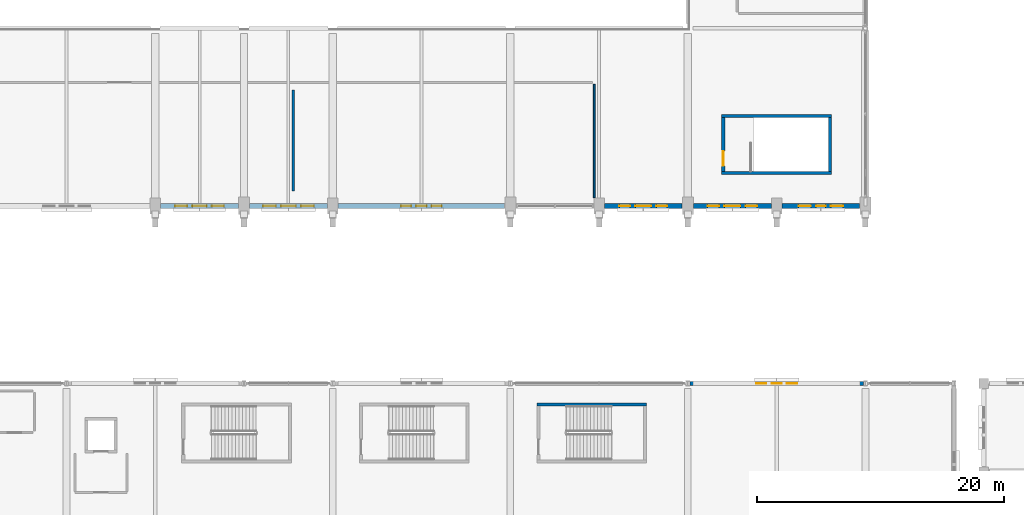
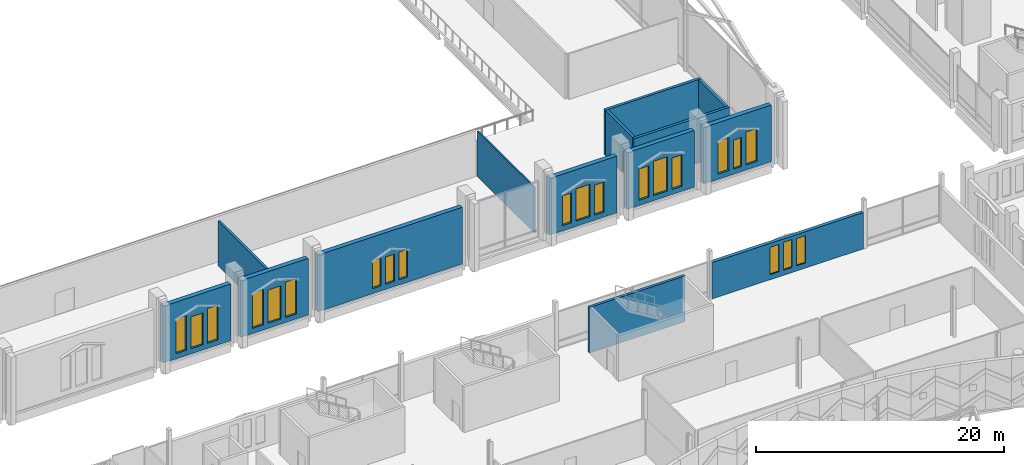
# One storey, part 154 of 220: 21 windows, 14 walls, 1 door, 22 openings.
"""IFC4 building model written with IfcOpenShell, lengths in metres."""

from ifc_helpers import new_model, si_unit, direction, frame, frame_2d, origin, place, context, subcontext, project, spatial, rectangle, extrude, material, layer, layer_set, type_object, element, fill, save


model = new_model("IFC4")

# Units and contexts
model_context = context("Model", 3, precision=1e-05, world=origin(), true_north=direction((0.0, 1.0)))
body_context = subcontext(model_context, "Body", "Model", "MODEL_VIEW")
ifc_project = project(units=[si_unit("LENGTHUNIT", "METRE"), si_unit("AREAUNIT", "SQUARE_METRE"), si_unit("VOLUMEUNIT", "CUBIC_METRE"), si_unit("PLANEANGLEUNIT", "RADIAN"), si_unit("MASSUNIT", "GRAM", prefix="KILO")], contexts=[model_context])

# Site, building, storey
site_placement = place(None, origin())
site = spatial("IfcSite", under=ifc_project, at=site_placement, CompositionType="ELEMENT")
building_placement = place(site_placement, origin())
building = spatial("IfcBuilding", under=site, at=building_placement, Name="Cendralis Lancet Convention Centre", CompositionType="ELEMENT")
storey_placement = place(building_placement, frame((0.0, 0.0, 5.39990234375)))
storey = spatial("IfcBuildingStorey", under=building, at=storey_placement, Name="L01", CompositionType="ELEMENT", Elevation=5.39990234375)

# Wall, openings, windows
ifc_material_1 = material(Name="Buff sandstone ashlar and Concrete G40 (C40/50)", Category="masonry")
ifc_layer_1 = layer(ifc_material_1, 0.320068359375, Name="Buff sandstone ashlar and Concrete G40 (C40/50)")
ifc_layer_set_1 = layer_set([ifc_layer_1], Name="Buff sandstone ashlar and Concrete G40 (C40/50)")
wall_type_1 = type_object("IfcWallType", Name="ARC-EW-W320", PredefinedType="STANDARD", material=ifc_layer_set_1)
wall_1_placement = place(storey_placement, frame((108.157958984375, 36.0, 0.0), z_axis=(0.0, 0.0, 1.0), x_axis=(1.0, 0.0, 0.0)))
wall_1 = element("IfcWall", 1, at=wall_1_placement, inside=storey, type_object=wall_type_1, Name="L01 V4 Exterior Wall EW-06 #0198", PredefinedType="STANDARD", context=body_context, shape_type="SweptSolid", body=[
    extrude(rectangle(XDim=14.083984375, YDim=0.320068359375, at=frame_2d((7.0419921875, 0.0))), origin(), (0.0, 0.0, 1.0), 3.585205078125),
])
opening_1_placement = place(wall_1_placement, frame((5.382080078125, 0.0, 0.5)))
opening_1 = element("IfcOpeningElement", 2, at=opening_1_placement, cuts=wall_1, Name="Opening WN-15", PredefinedType="OPENING", context=body_context, shape_type="SweptSolid", body=[
    extrude(rectangle(XDim=0.840087890625, YDim=2.699951171875, at=frame_2d((0.419921875, 1.35009765625))), frame((0.0, 0.169921875, 0.0), z_axis=(0.0, -1.0, 0.0), x_axis=(1.0, 0.0, 0.0)), (0.0, 0.0, 1.0), 0.340087890625),
])
opening_2_placement = place(wall_1_placement, frame((6.64208984375, 0.0, 0.5)))
opening_2 = element("IfcOpeningElement", 3, at=opening_2_placement, cuts=wall_1, Name="Opening WN-07", PredefinedType="OPENING", context=body_context, shape_type="SweptSolid", body=[
    extrude(rectangle(XDim=0.800048828125, YDim=2.75, at=frame_2d((0.39990234375, 1.375))), frame((0.0, 0.169921875, 0.0), z_axis=(0.0, -1.0, 0.0), x_axis=(1.0, 0.0, 0.0)), (0.0, 0.0, 1.0), 0.340087890625),
])
opening_3_placement = place(wall_1_placement, frame((7.862060546875, 0.0, 0.5)))
opening_3 = element("IfcOpeningElement", 4, at=opening_3_placement, cuts=wall_1, Name="Opening WN-15", PredefinedType="OPENING", context=body_context, shape_type="SweptSolid", body=[
    extrude(rectangle(XDim=0.840087890625, YDim=2.699951171875, at=frame_2d((0.419921875, 1.35009765625))), frame((0.0, 0.169921875, 0.0), z_axis=(0.0, -1.0, 0.0), x_axis=(1.0, 0.0, 0.0)), (0.0, 0.0, 1.0), 0.340087890625),
])
ifc_material_2 = material(Name="Double-glazed low-E solar-control glass", Category="glass")
window_type_1 = type_object("IfcWindowType", Name="ARC-WN-LW07", PartitioningType="SINGLE_PANEL", PredefinedType="WINDOW", material=ifc_material_2)
window_1_placement = place(opening_2_placement, origin())
window_1 = element("IfcWindow", 5, at=window_1_placement, inside=storey, type_object=window_type_1, Name="Gothic Lancet Window WN-07 #0386", OverallHeight=2.75, OverallWidth=0.800048828125, PartitioningType="SINGLE_PANEL", PredefinedType="WINDOW", context=body_context, shape_type="SweptSolid", body=[
    extrude(rectangle(XDim=0.800048828125, YDim=2.75, at=frame_2d((0.39990234375, 1.375))), frame((0.0, 0.030029296875, 0.0), z_axis=(0.0, -1.0, 0.0), x_axis=(1.0, 0.0, 0.0)), (0.0, 0.0, 1.0), 0.06005859375),
])
fill(opening_2, window_1)
window_type_2 = type_object("IfcWindowType", Name="ARC-WN-LW15", PartitioningType="SINGLE_PANEL", PredefinedType="WINDOW", material=ifc_material_2)
window_2_placement = place(opening_1_placement, origin())
window_2 = element("IfcWindow", 6, at=window_2_placement, inside=storey, type_object=window_type_2, Name="Gothic Lancet Window WN-15 #0385", OverallHeight=2.699951171875, OverallWidth=0.840087890625, PartitioningType="SINGLE_PANEL", PredefinedType="WINDOW", context=body_context, shape_type="SweptSolid", body=[
    extrude(rectangle(XDim=0.840087890625, YDim=2.699951171875, at=frame_2d((0.419921875, 1.35009765625))), frame((0.0, 0.030029296875, 0.0), z_axis=(0.0, -1.0, 0.0), x_axis=(1.0, 0.0, 0.0)), (0.0, 0.0, 1.0), 0.06005859375),
])
fill(opening_1, window_2)
window_3_placement = place(opening_3_placement, origin())
window_3 = element("IfcWindow", 7, at=window_3_placement, inside=storey, type_object=window_type_2, Name="Gothic Lancet Window WN-15 #0387", OverallHeight=2.699951171875, OverallWidth=0.840087890625, PartitioningType="SINGLE_PANEL", PredefinedType="WINDOW", context=body_context, shape_type="SweptSolid", body=[
    extrude(rectangle(XDim=0.840087890625, YDim=2.699951171875, at=frame_2d((0.419921875, 1.35009765625))), frame((0.0, 0.030029296875, 0.0), z_axis=(0.0, -1.0, 0.0), x_axis=(1.0, 0.0, 0.0)), (0.0, 0.0, 1.0), 0.06005859375),
])
fill(opening_3, window_3)

ifc_layer_2 = layer(ifc_material_1, 0.419921875, Name="Buff sandstone ashlar and Concrete G40 (C40/50)")
ifc_layer_set_2 = layer_set([ifc_layer_2], Name="Buff sandstone ashlar and Concrete G40 (C40/50)")
wall_type_2 = type_object("IfcWallType", Name="ARC-EW-W420", PredefinedType="STANDARD", material=ifc_layer_set_2)
wall_2_placement = place(storey_placement, frame((71.5419921875, 50.39990234375, 0.0), z_axis=(0.0, 0.0, 1.0), x_axis=(-1.0, 0.0, 0.0)))
wall_2 = element("IfcWall", 8, at=wall_2_placement, inside=storey, type_object=wall_type_2, Name="L01 V1 Exterior Wall EW-01 #0058", PredefinedType="STANDARD", context=body_context, shape_type="SweptSolid", body=[
    extrude(rectangle(XDim=6.30908203125, YDim=0.419921875, at=frame_2d((3.154541015625, 0.0))), origin(), (0.0, 0.0, 1.0), 5.585205078125),
])
opening_4_placement = place(wall_2_placement, frame((1.174560546875, 0.0, 0.5)))
opening_4 = element("IfcOpeningElement", 9, at=opening_4_placement, cuts=wall_2, Name="Opening WN-05", PredefinedType="OPENING", context=body_context, shape_type="SweptSolid", body=[
    extrude(rectangle(XDim=0.97998046875, YDim=3.419921875, at=frame_2d((0.489990234375, 1.7099609375))), frame((0.0, 0.219970703125, 0.0), z_axis=(0.0, -1.0, 0.0), x_axis=(1.0, 0.0, 0.0)), (0.0, 0.0, 1.0), 0.43994140625),
])
opening_5_placement = place(wall_2_placement, frame((2.574462890625, 0.0, 0.5)))
opening_5 = element("IfcOpeningElement", 10, at=opening_5_placement, cuts=wall_2, Name="Opening WN-13", PredefinedType="OPENING", context=body_context, shape_type="SweptSolid", body=[
    extrude(rectangle(XDim=1.159912109375, YDim=3.14990234375, at=frame_2d((0.580078125, 1.574951171875))), frame((0.0, 0.219970703125, 0.0), z_axis=(0.0, -1.0, 0.0), x_axis=(1.0, 0.0, 0.0)), (0.0, 0.0, 1.0), 0.43994140625),
])
opening_6_placement = place(wall_2_placement, frame((4.154541015625, 0.0, 0.5)))
opening_6 = element("IfcOpeningElement", 11, at=opening_6_placement, cuts=wall_2, Name="Opening WN-05", PredefinedType="OPENING", context=body_context, shape_type="SweptSolid", body=[
    extrude(rectangle(XDim=0.97998046875, YDim=3.419921875, at=frame_2d((0.489990234375, 1.7099609375))), frame((0.0, 0.219970703125, 0.0), z_axis=(0.0, -1.0, 0.0), x_axis=(1.0, 0.0, 0.0)), (0.0, 0.0, 1.0), 0.43994140625),
])
window_type_3 = type_object("IfcWindowType", Name="ARC-WN-LW05", PartitioningType="SINGLE_PANEL", PredefinedType="WINDOW", material=ifc_material_2)
window_4_placement = place(opening_4_placement, origin())
window_4 = element("IfcWindow", 12, at=window_4_placement, inside=storey, type_object=window_type_3, Name="Gothic Lancet Window WN-05 #0088", OverallHeight=3.419921875, OverallWidth=0.97998046875, PartitioningType="SINGLE_PANEL", PredefinedType="WINDOW", context=body_context, shape_type="SweptSolid", body=[
    extrude(rectangle(XDim=0.97998046875, YDim=3.419921875, at=frame_2d((0.489990234375, 1.7099609375))), frame((0.0, 0.030029296875, 0.0), z_axis=(0.0, -1.0, 0.0), x_axis=(1.0, 0.0, 0.0)), (0.0, 0.0, 1.0), 0.06005859375),
])
fill(opening_4, window_4)
window_5_placement = place(opening_6_placement, origin())
window_5 = element("IfcWindow", 13, at=window_5_placement, inside=storey, type_object=window_type_3, Name="Gothic Lancet Window WN-05 #0090", OverallHeight=3.419921875, OverallWidth=0.97998046875, PartitioningType="SINGLE_PANEL", PredefinedType="WINDOW", context=body_context, shape_type="SweptSolid", body=[
    extrude(rectangle(XDim=0.97998046875, YDim=3.419921875, at=frame_2d((0.489990234375, 1.7099609375))), frame((0.0, 0.030029296875, 0.0), z_axis=(0.0, -1.0, 0.0), x_axis=(1.0, 0.0, 0.0)), (0.0, 0.0, 1.0), 0.06005859375),
])
fill(opening_6, window_5)
window_type_4 = type_object("IfcWindowType", Name="ARC-WN-LW13", PartitioningType="SINGLE_PANEL", PredefinedType="WINDOW", material=ifc_material_2)
window_6_placement = place(opening_5_placement, origin())
window_6 = element("IfcWindow", 14, at=window_6_placement, inside=storey, type_object=window_type_4, Name="Gothic Lancet Window WN-13 #0089", OverallHeight=3.14990234375, OverallWidth=1.159912109375, PartitioningType="SINGLE_PANEL", PredefinedType="WINDOW", context=body_context, shape_type="SweptSolid", body=[
    extrude(rectangle(XDim=1.159912109375, YDim=3.14990234375, at=frame_2d((0.580078125, 1.574951171875))), frame((0.0, 0.030029296875, 0.0), z_axis=(0.0, -1.0, 0.0), x_axis=(1.0, 0.0, 0.0)), (0.0, 0.0, 1.0), 0.06005859375),
])
fill(opening_5, window_6)

wall_3_placement = place(storey_placement, frame((78.76708984375, 50.39990234375, 0.0), z_axis=(0.0, 0.0, 1.0), x_axis=(-1.0, 0.0, 0.0)))
wall_3 = element("IfcWall", 15, at=wall_3_placement, inside=storey, type_object=wall_type_2, Name="L01 V1 Exterior Wall EW-01 #0059", PredefinedType="STANDARD", context=body_context, shape_type="SweptSolid", body=[
    extrude(rectangle(XDim=6.30908203125, YDim=0.419921875, at=frame_2d((3.154541015625, 0.0))), origin(), (0.0, 0.0, 1.0), 5.585205078125),
])
opening_7_placement = place(wall_3_placement, frame((1.094482421875, 0.0, 0.5)))
opening_7 = element("IfcOpeningElement", 16, at=opening_7_placement, cuts=wall_3, Name="Opening WN-06", PredefinedType="OPENING", context=body_context, shape_type="SweptSolid", body=[
    extrude(rectangle(XDim=1.0400390625, YDim=3.47998046875, at=frame_2d((0.52001953125, 1.739990234375))), frame((0.0, 0.219970703125, 0.0), z_axis=(0.0, -1.0, 0.0), x_axis=(1.0, 0.0, 0.0)), (0.0, 0.0, 1.0), 0.43994140625),
])
opening_8_placement = place(wall_3_placement, frame((2.554443359375, 0.0, 0.5)))
opening_8 = element("IfcOpeningElement", 17, at=opening_8_placement, cuts=wall_3, Name="Opening WN-14", PredefinedType="OPENING", context=body_context, shape_type="SweptSolid", body=[
    extrude(rectangle(XDim=1.199951171875, YDim=3.280029296875, at=frame_2d((0.60009765625, 1.64013671875))), frame((0.0, 0.219970703125, 0.0), z_axis=(0.0, -1.0, 0.0), x_axis=(1.0, 0.0, 0.0)), (0.0, 0.0, 1.0), 0.43994140625),
])
opening_9_placement = place(wall_3_placement, frame((4.174560546875, 0.0, 0.5)))
opening_9 = element("IfcOpeningElement", 18, at=opening_9_placement, cuts=wall_3, Name="Opening WN-06", PredefinedType="OPENING", context=body_context, shape_type="SweptSolid", body=[
    extrude(rectangle(XDim=1.0400390625, YDim=3.47998046875, at=frame_2d((0.52001953125, 1.739990234375))), frame((0.0, 0.219970703125, 0.0), z_axis=(0.0, -1.0, 0.0), x_axis=(1.0, 0.0, 0.0)), (0.0, 0.0, 1.0), 0.43994140625),
])
window_type_5 = type_object("IfcWindowType", Name="ARC-WN-LW06", PartitioningType="SINGLE_PANEL", PredefinedType="WINDOW", material=ifc_material_2)
window_7_placement = place(opening_7_placement, origin())
window_7 = element("IfcWindow", 19, at=window_7_placement, inside=storey, type_object=window_type_5, Name="Gothic Lancet Window WN-06 #0091", OverallHeight=3.47998046875, OverallWidth=1.0400390625, PartitioningType="SINGLE_PANEL", PredefinedType="WINDOW", context=body_context, shape_type="SweptSolid", body=[
    extrude(rectangle(XDim=1.0400390625, YDim=3.47998046875, at=frame_2d((0.52001953125, 1.739990234375))), frame((0.0, 0.030029296875, 0.0), z_axis=(0.0, -1.0, 0.0), x_axis=(1.0, 0.0, 0.0)), (0.0, 0.0, 1.0), 0.06005859375),
])
fill(opening_7, window_7)
window_8_placement = place(opening_9_placement, origin())
window_8 = element("IfcWindow", 20, at=window_8_placement, inside=storey, type_object=window_type_5, Name="Gothic Lancet Window WN-06 #0093", OverallHeight=3.47998046875, OverallWidth=1.0400390625, PartitioningType="SINGLE_PANEL", PredefinedType="WINDOW", context=body_context, shape_type="SweptSolid", body=[
    extrude(rectangle(XDim=1.0400390625, YDim=3.47998046875, at=frame_2d((0.52001953125, 1.739990234375))), frame((0.0, 0.030029296875, 0.0), z_axis=(0.0, -1.0, 0.0), x_axis=(1.0, 0.0, 0.0)), (0.0, 0.0, 1.0), 0.06005859375),
])
fill(opening_9, window_8)
window_type_6 = type_object("IfcWindowType", Name="ARC-WN-LW14", PartitioningType="SINGLE_PANEL", PredefinedType="WINDOW", material=ifc_material_2)
window_9_placement = place(opening_8_placement, origin())
window_9 = element("IfcWindow", 21, at=window_9_placement, inside=storey, type_object=window_type_6, Name="Gothic Lancet Window WN-14 #0092", OverallHeight=3.280029296875, OverallWidth=1.199951171875, PartitioningType="SINGLE_PANEL", PredefinedType="WINDOW", context=body_context, shape_type="SweptSolid", body=[
    extrude(rectangle(XDim=1.199951171875, YDim=3.280029296875, at=frame_2d((0.60009765625, 1.64013671875))), frame((0.0, 0.030029296875, 0.0), z_axis=(0.0, -1.0, 0.0), x_axis=(1.0, 0.0, 0.0)), (0.0, 0.0, 1.0), 0.06005859375),
])
fill(opening_8, window_9)

wall_4_placement = place(storey_placement, frame((93.14208984375, 50.39990234375, 0.0), z_axis=(0.0, 0.0, 1.0), x_axis=(-1.0, 0.0, 0.0)))
wall_4 = element("IfcWall", 22, at=wall_4_placement, inside=storey, type_object=wall_type_2, Name="L01 V1 Exterior Wall EW-01 #0060", PredefinedType="STANDARD", context=body_context, shape_type="SweptSolid", body=[
    extrude(rectangle(XDim=13.509033203125, YDim=0.419921875, at=frame_2d((6.75439453125, 0.0))), origin(), (0.0, 0.0, 1.0), 5.585205078125),
])
opening_10_placement = place(wall_4_placement, frame((5.114501953125, 0.0, 0.5)))
opening_10 = element("IfcOpeningElement", 23, at=opening_10_placement, cuts=wall_4, Name="Opening WN-07", PredefinedType="OPENING", context=body_context, shape_type="SweptSolid", body=[
    extrude(rectangle(XDim=0.800048828125, YDim=2.75, at=frame_2d((0.39990234375, 1.375))), frame((0.0, 0.219970703125, 0.0), z_axis=(0.0, -1.0, 0.0), x_axis=(1.0, 0.0, 0.0)), (0.0, 0.0, 1.0), 0.43994140625),
])
opening_11_placement = place(wall_4_placement, frame((6.33447265625, 0.0, 0.5)))
opening_11 = element("IfcOpeningElement", 24, at=opening_11_placement, cuts=wall_4, Name="Opening WN-15", PredefinedType="OPENING", context=body_context, shape_type="SweptSolid", body=[
    extrude(rectangle(XDim=0.840087890625, YDim=2.699951171875, at=frame_2d((0.419921875, 1.35009765625))), frame((0.0, 0.219970703125, 0.0), z_axis=(0.0, -1.0, 0.0), x_axis=(1.0, 0.0, 0.0)), (0.0, 0.0, 1.0), 0.43994140625),
])
opening_12_placement = place(wall_4_placement, frame((7.594482421875, 0.0, 0.5)))
opening_12 = element("IfcOpeningElement", 25, at=opening_12_placement, cuts=wall_4, Name="Opening WN-07", PredefinedType="OPENING", context=body_context, shape_type="SweptSolid", body=[
    extrude(rectangle(XDim=0.800048828125, YDim=2.75, at=frame_2d((0.39990234375, 1.375))), frame((0.0, 0.219970703125, 0.0), z_axis=(0.0, -1.0, 0.0), x_axis=(1.0, 0.0, 0.0)), (0.0, 0.0, 1.0), 0.43994140625),
])
window_10_placement = place(opening_10_placement, origin())
window_10 = element("IfcWindow", 26, at=window_10_placement, inside=storey, type_object=window_type_1, Name="Gothic Lancet Window WN-07 #0094", OverallHeight=2.75, OverallWidth=0.800048828125, PartitioningType="SINGLE_PANEL", PredefinedType="WINDOW", context=body_context, shape_type="SweptSolid", body=[
    extrude(rectangle(XDim=0.800048828125, YDim=2.75, at=frame_2d((0.39990234375, 1.375))), frame((0.0, 0.030029296875, 0.0), z_axis=(0.0, -1.0, 0.0), x_axis=(1.0, 0.0, 0.0)), (0.0, 0.0, 1.0), 0.06005859375),
])
fill(opening_10, window_10)
window_11_placement = place(opening_12_placement, origin())
window_11 = element("IfcWindow", 27, at=window_11_placement, inside=storey, type_object=window_type_1, Name="Gothic Lancet Window WN-07 #0096", OverallHeight=2.75, OverallWidth=0.800048828125, PartitioningType="SINGLE_PANEL", PredefinedType="WINDOW", context=body_context, shape_type="SweptSolid", body=[
    extrude(rectangle(XDim=0.800048828125, YDim=2.75, at=frame_2d((0.39990234375, 1.375))), frame((0.0, 0.030029296875, 0.0), z_axis=(0.0, -1.0, 0.0), x_axis=(1.0, 0.0, 0.0)), (0.0, 0.0, 1.0), 0.06005859375),
])
fill(opening_12, window_11)
window_12_placement = place(opening_11_placement, origin())
window_12 = element("IfcWindow", 28, at=window_12_placement, inside=storey, type_object=window_type_2, Name="Gothic Lancet Window WN-15 #0095", OverallHeight=2.699951171875, OverallWidth=0.840087890625, PartitioningType="SINGLE_PANEL", PredefinedType="WINDOW", context=body_context, shape_type="SweptSolid", body=[
    extrude(rectangle(XDim=0.840087890625, YDim=2.699951171875, at=frame_2d((0.419921875, 1.35009765625))), frame((0.0, 0.030029296875, 0.0), z_axis=(0.0, -1.0, 0.0), x_axis=(1.0, 0.0, 0.0)), (0.0, 0.0, 1.0), 0.06005859375),
])
fill(opening_11, window_12)

wall_5_placement = place(storey_placement, frame((107.5419921875, 50.39990234375, 0.0), z_axis=(0.0, 0.0, 1.0), x_axis=(-1.0, 0.0, 0.0)))
wall_5 = element("IfcWall", 29, at=wall_5_placement, inside=storey, type_object=wall_type_2, Name="L01 V1 Exterior Wall EW-01 #0061", PredefinedType="STANDARD", context=body_context, shape_type="SweptSolid", body=[
    extrude(rectangle(XDim=6.30908203125, YDim=0.419921875, at=frame_2d((3.154541015625, 0.0))), origin(), (0.0, 0.0, 1.0), 5.585205078125),
])
opening_13_placement = place(wall_5_placement, frame((1.214599609375, 0.0, 0.5)))
opening_13 = element("IfcOpeningElement", 30, at=opening_13_placement, cuts=wall_5, Name="Opening WN-08", PredefinedType="OPENING", context=body_context, shape_type="SweptSolid", body=[
    extrude(rectangle(XDim=0.8798828125, YDim=2.949951171875, at=frame_2d((0.43994140625, 1.47509765625))), frame((0.0, 0.219970703125, 0.0), z_axis=(0.0, -1.0, 0.0), x_axis=(1.0, 0.0, 0.0)), (0.0, 0.0, 1.0), 0.43994140625),
])
opening_14_placement = place(wall_5_placement, frame((2.514404296875, 0.0, 0.5)))
opening_14 = element("IfcOpeningElement", 31, at=opening_14_placement, cuts=wall_5, Name="Opening WN-17", PredefinedType="OPENING", context=body_context, shape_type="SweptSolid", body=[
    extrude(rectangle(XDim=1.280029296875, YDim=3.199951171875, at=frame_2d((0.64013671875, 1.60009765625))), frame((0.0, 0.219970703125, 0.0), z_axis=(0.0, -1.0, 0.0), x_axis=(1.0, 0.0, 0.0)), (0.0, 0.0, 1.0), 0.43994140625),
])
opening_15_placement = place(wall_5_placement, frame((4.214599609375, 0.0, 0.5)))
opening_15 = element("IfcOpeningElement", 32, at=opening_15_placement, cuts=wall_5, Name="Opening WN-08", PredefinedType="OPENING", context=body_context, shape_type="SweptSolid", body=[
    extrude(rectangle(XDim=0.8798828125, YDim=2.949951171875, at=frame_2d((0.43994140625, 1.47509765625))), frame((0.0, 0.219970703125, 0.0), z_axis=(0.0, -1.0, 0.0), x_axis=(1.0, 0.0, 0.0)), (0.0, 0.0, 1.0), 0.43994140625),
])
window_type_7 = type_object("IfcWindowType", Name="ARC-WN-LW08", PartitioningType="SINGLE_PANEL", PredefinedType="WINDOW", material=ifc_material_2)
window_13_placement = place(opening_13_placement, origin())
window_13 = element("IfcWindow", 33, at=window_13_placement, inside=storey, type_object=window_type_7, Name="Gothic Lancet Window WN-08 #0097", OverallHeight=2.949951171875, OverallWidth=0.8798828125, PartitioningType="SINGLE_PANEL", PredefinedType="WINDOW", context=body_context, shape_type="SweptSolid", body=[
    extrude(rectangle(XDim=0.8798828125, YDim=2.949951171875, at=frame_2d((0.43994140625, 1.47509765625))), frame((0.0, 0.030029296875, 0.0), z_axis=(0.0, -1.0, 0.0), x_axis=(1.0, 0.0, 0.0)), (0.0, 0.0, 1.0), 0.06005859375),
])
fill(opening_13, window_13)
window_14_placement = place(opening_15_placement, origin())
window_14 = element("IfcWindow", 34, at=window_14_placement, inside=storey, type_object=window_type_7, Name="Gothic Lancet Window WN-08 #0099", OverallHeight=2.949951171875, OverallWidth=0.8798828125, PartitioningType="SINGLE_PANEL", PredefinedType="WINDOW", context=body_context, shape_type="SweptSolid", body=[
    extrude(rectangle(XDim=0.8798828125, YDim=2.949951171875, at=frame_2d((0.43994140625, 1.47509765625))), frame((0.0, 0.030029296875, 0.0), z_axis=(0.0, -1.0, 0.0), x_axis=(1.0, 0.0, 0.0)), (0.0, 0.0, 1.0), 0.06005859375),
])
fill(opening_15, window_14)
window_type_8 = type_object("IfcWindowType", Name="ARC-WN-LW17", PartitioningType="SINGLE_PANEL", PredefinedType="WINDOW", material=ifc_material_2)
window_15_placement = place(opening_14_placement, origin())
window_15 = element("IfcWindow", 35, at=window_15_placement, inside=storey, type_object=window_type_8, Name="Gothic Lancet Window WN-17 #0098", OverallHeight=3.199951171875, OverallWidth=1.280029296875, PartitioningType="SINGLE_PANEL", PredefinedType="WINDOW", context=body_context, shape_type="SweptSolid", body=[
    extrude(rectangle(XDim=1.280029296875, YDim=3.199951171875, at=frame_2d((0.64013671875, 1.60009765625))), frame((0.0, 0.030029296875, 0.0), z_axis=(0.0, -1.0, 0.0), x_axis=(1.0, 0.0, 0.0)), (0.0, 0.0, 1.0), 0.06005859375),
])
fill(opening_14, window_15)

wall_6_placement = place(storey_placement, frame((114.76708984375, 50.39990234375, 0.0), z_axis=(0.0, 0.0, 1.0), x_axis=(-1.0, 0.0, 0.0)))
wall_6 = element("IfcWall", 36, at=wall_6_placement, inside=storey, type_object=wall_type_2, Name="L01 V1 Exterior Wall EW-01 #0062", PredefinedType="STANDARD", context=body_context, shape_type="SweptSolid", body=[
    extrude(rectangle(XDim=6.30908203125, YDim=0.419921875, at=frame_2d((3.154541015625, 0.0))), origin(), (0.0, 0.0, 1.0), 5.585205078125),
])
opening_16_placement = place(wall_6_placement, frame((1.14453125, 0.0, 0.5)))
opening_16 = element("IfcOpeningElement", 37, at=opening_16_placement, cuts=wall_6, Name="Opening WN-09", PredefinedType="OPENING", context=body_context, shape_type="SweptSolid", body=[
    extrude(rectangle(XDim=0.93994140625, YDim=3.10009765625, at=frame_2d((0.469970703125, 1.550048828125))), frame((0.0, 0.219970703125, 0.0), z_axis=(0.0, -1.0, 0.0), x_axis=(1.0, 0.0, 0.0)), (0.0, 0.0, 1.0), 0.43994140625),
])
opening_17_placement = place(wall_6_placement, frame((2.50439453125, 0.0, 0.5)))
opening_17 = element("IfcOpeningElement", 38, at=opening_17_placement, cuts=wall_6, Name="Opening WN-18", PredefinedType="OPENING", context=body_context, shape_type="SweptSolid", body=[
    extrude(rectangle(XDim=1.300048828125, YDim=3.3798828125, at=frame_2d((0.64990234375, 1.68994140625))), frame((0.0, 0.219970703125, 0.0), z_axis=(0.0, -1.0, 0.0), x_axis=(1.0, 0.0, 0.0)), (0.0, 0.0, 1.0), 0.43994140625),
])
opening_18_placement = place(wall_6_placement, frame((4.224609375, 0.0, 0.5)))
opening_18 = element("IfcOpeningElement", 39, at=opening_18_placement, cuts=wall_6, Name="Opening WN-09", PredefinedType="OPENING", context=body_context, shape_type="SweptSolid", body=[
    extrude(rectangle(XDim=0.93994140625, YDim=3.10009765625, at=frame_2d((0.469970703125, 1.550048828125))), frame((0.0, 0.219970703125, 0.0), z_axis=(0.0, -1.0, 0.0), x_axis=(1.0, 0.0, 0.0)), (0.0, 0.0, 1.0), 0.43994140625),
])
window_type_9 = type_object("IfcWindowType", Name="ARC-WN-LW09", PartitioningType="SINGLE_PANEL", PredefinedType="WINDOW", material=ifc_material_2)
window_16_placement = place(opening_16_placement, origin())
window_16 = element("IfcWindow", 40, at=window_16_placement, inside=storey, type_object=window_type_9, Name="Gothic Lancet Window WN-09 #0100", OverallHeight=3.10009765625, OverallWidth=0.93994140625, PartitioningType="SINGLE_PANEL", PredefinedType="WINDOW", context=body_context, shape_type="SweptSolid", body=[
    extrude(rectangle(XDim=0.93994140625, YDim=3.10009765625, at=frame_2d((0.469970703125, 1.550048828125))), frame((0.0, 0.030029296875, 0.0), z_axis=(0.0, -1.0, 0.0), x_axis=(1.0, 0.0, 0.0)), (0.0, 0.0, 1.0), 0.06005859375),
])
fill(opening_16, window_16)
window_17_placement = place(opening_18_placement, origin())
window_17 = element("IfcWindow", 41, at=window_17_placement, inside=storey, type_object=window_type_9, Name="Gothic Lancet Window WN-09 #0102", OverallHeight=3.10009765625, OverallWidth=0.93994140625, PartitioningType="SINGLE_PANEL", PredefinedType="WINDOW", context=body_context, shape_type="SweptSolid", body=[
    extrude(rectangle(XDim=0.93994140625, YDim=3.10009765625, at=frame_2d((0.469970703125, 1.550048828125))), frame((0.0, 0.030029296875, 0.0), z_axis=(0.0, -1.0, 0.0), x_axis=(1.0, 0.0, 0.0)), (0.0, 0.0, 1.0), 0.06005859375),
])
fill(opening_18, window_17)
window_type_10 = type_object("IfcWindowType", Name="ARC-WN-LW18", PartitioningType="SINGLE_PANEL", PredefinedType="WINDOW", material=ifc_material_2)
window_18_placement = place(opening_17_placement, origin())
window_18 = element("IfcWindow", 42, at=window_18_placement, inside=storey, type_object=window_type_10, Name="Gothic Lancet Window WN-18 #0101", OverallHeight=3.3798828125, OverallWidth=1.300048828125, PartitioningType="SINGLE_PANEL", PredefinedType="WINDOW", context=body_context, shape_type="SweptSolid", body=[
    extrude(rectangle(XDim=1.300048828125, YDim=3.3798828125, at=frame_2d((0.64990234375, 1.68994140625))), frame((0.0, 0.030029296875, 0.0), z_axis=(0.0, -1.0, 0.0), x_axis=(1.0, 0.0, 0.0)), (0.0, 0.0, 1.0), 0.06005859375),
])
fill(opening_17, window_18)

wall_7_placement = place(storey_placement, frame((121.94189453125, 50.39990234375, 0.0), z_axis=(0.0, 0.0, 1.0), x_axis=(-1.0, 0.0, 0.0)))
wall_7 = element("IfcWall", 43, at=wall_7_placement, inside=storey, type_object=wall_type_2, Name="L01 V1 Exterior Wall EW-01 #0063", PredefinedType="STANDARD", context=body_context, shape_type="SweptSolid", body=[
    extrude(rectangle(XDim=6.308837890625, YDim=0.419921875, at=frame_2d((3.154296875, 0.0))), origin(), (0.0, 0.0, 1.0), 5.585205078125),
])
opening_19_placement = place(wall_7_placement, frame((1.344482421875, 0.0, 0.5)))
opening_19 = element("IfcOpeningElement", 44, at=opening_19_placement, cuts=wall_7, Name="Opening WN-10", PredefinedType="OPENING", context=body_context, shape_type="SweptSolid", body=[
    extrude(rectangle(XDim=1.0, YDim=3.25, at=frame_2d((0.5, 1.625))), frame((0.0, 0.219970703125, 0.0), z_axis=(0.0, -1.0, 0.0), x_axis=(1.0, 0.0, 0.0)), (0.0, 0.0, 1.0), 0.43994140625),
])
opening_20_placement = place(wall_7_placement, frame((2.764404296875, 0.0, 0.5)))
opening_20 = element("IfcOpeningElement", 45, at=opening_20_placement, cuts=wall_7, Name="Opening WN-01", PredefinedType="OPENING", context=body_context, shape_type="SweptSolid", body=[
    extrude(rectangle(XDim=0.780029296875, YDim=2.85009765625, at=frame_2d((0.39013671875, 1.425048828125))), frame((0.0, 0.219970703125, 0.0), z_axis=(0.0, -1.0, 0.0), x_axis=(1.0, 0.0, 0.0)), (0.0, 0.0, 1.0), 0.43994140625),
])
opening_21_placement = place(wall_7_placement, frame((3.964599609375, 0.0, 0.5)))
opening_21 = element("IfcOpeningElement", 46, at=opening_21_placement, cuts=wall_7, Name="Opening WN-10", PredefinedType="OPENING", context=body_context, shape_type="SweptSolid", body=[
    extrude(rectangle(XDim=1.0, YDim=3.25, at=frame_2d((0.5, 1.625))), frame((0.0, 0.219970703125, 0.0), z_axis=(0.0, -1.0, 0.0), x_axis=(1.0, 0.0, 0.0)), (0.0, 0.0, 1.0), 0.43994140625),
])
window_type_11 = type_object("IfcWindowType", Name="ARC-WN-LW01", PartitioningType="SINGLE_PANEL", PredefinedType="WINDOW", material=ifc_material_2)
window_19_placement = place(opening_20_placement, origin())
window_19 = element("IfcWindow", 47, at=window_19_placement, inside=storey, type_object=window_type_11, Name="Gothic Lancet Window WN-01 #0104", OverallHeight=2.85009765625, OverallWidth=0.780029296875, PartitioningType="SINGLE_PANEL", PredefinedType="WINDOW", context=body_context, shape_type="SweptSolid", body=[
    extrude(rectangle(XDim=0.780029296875, YDim=2.85009765625, at=frame_2d((0.39013671875, 1.425048828125))), frame((0.0, 0.030029296875, 0.0), z_axis=(0.0, -1.0, 0.0), x_axis=(1.0, 0.0, 0.0)), (0.0, 0.0, 1.0), 0.06005859375),
])
fill(opening_20, window_19)
window_type_12 = type_object("IfcWindowType", Name="ARC-WN-LW10", PartitioningType="SINGLE_PANEL", PredefinedType="WINDOW", material=ifc_material_2)
window_20_placement = place(opening_19_placement, origin())
window_20 = element("IfcWindow", 48, at=window_20_placement, inside=storey, type_object=window_type_12, Name="Gothic Lancet Window WN-10 #0103", OverallHeight=3.25, OverallWidth=1.0, PartitioningType="SINGLE_PANEL", PredefinedType="WINDOW", context=body_context, shape_type="SweptSolid", body=[
    extrude(rectangle(XDim=1.0, YDim=3.25, at=frame_2d((0.5, 1.625))), frame((0.0, 0.030029296875, 0.0), z_axis=(0.0, -1.0, 0.0), x_axis=(1.0, 0.0, 0.0)), (0.0, 0.0, 1.0), 0.06005859375),
])
fill(opening_19, window_20)
window_21_placement = place(opening_21_placement, origin())
window_21 = element("IfcWindow", 49, at=window_21_placement, inside=storey, type_object=window_type_12, Name="Gothic Lancet Window WN-10 #0105", OverallHeight=3.25, OverallWidth=1.0, PartitioningType="SINGLE_PANEL", PredefinedType="WINDOW", context=body_context, shape_type="SweptSolid", body=[
    extrude(rectangle(XDim=1.0, YDim=3.25, at=frame_2d((0.5, 1.625))), frame((0.0, 0.030029296875, 0.0), z_axis=(0.0, -1.0, 0.0), x_axis=(1.0, 0.0, 0.0)), (0.0, 0.0, 1.0), 0.06005859375),
])
fill(opening_21, window_21)

# Walls
ifc_material_3 = material(Name="Acoustic fire-rated gypsum board on steel studs", Category="steel")
ifc_layer_3 = layer(ifc_material_3, 0.139892578125, Name="Acoustic fire-rated gypsum board on steel studs")
ifc_layer_set_3 = layer_set([ifc_layer_3], Name="Acoustic fire-rated gypsum board on steel studs")
wall_type_3 = type_object("IfcWallType", Name="ARC-IW-P140", PredefinedType="PARTITIONING", material=ifc_layer_set_3)
wall_8_placement = place(storey_placement, frame((100.39990234375, 51.070068359375, 0.0), z_axis=(0.0, 0.0, 1.0), x_axis=(0.0, 1.0, 0.0)))
element("IfcWall", 50, at=wall_8_placement, inside=storey, type_object=wall_type_3, Name="L01 Interior Partition IW-04 #0028", PredefinedType="PARTITIONING", context=body_context, shape_type="SweptSolid", body=[
    extrude(rectangle(XDim=9.18994140625, YDim=0.139892578125, at=frame_2d((4.594970703125, 0.0))), origin(), (0.0, 0.0, 1.0), 4.485107421875),
])
ifc_material_4 = material(Name="Motorised acoustic operable panel system")
ifc_layer_4 = layer(ifc_material_4, 0.195068359375, Name="Motorised acoustic operable panel system")
ifc_layer_set_4 = layer_set([ifc_layer_4], Name="Motorised acoustic operable panel system")
wall_type_4 = type_object("IfcWallType", Name="ARC-MW-MV195", PredefinedType="MOVABLE", material=ifc_layer_set_4)
wall_9_placement = place(storey_placement, frame((76.0, 51.60009765625, 0.0), z_axis=(0.0, 0.0, 1.0), x_axis=(0.0, 1.0, 0.0)))
element("IfcWall", 51, at=wall_9_placement, inside=storey, type_object=wall_type_4, Name="L01 Operable Acoustic Partition MW-02 #06", PredefinedType="MOVABLE", context=body_context, shape_type="SweptSolid", body=[
    extrude(rectangle(XDim=8.199951171875, YDim=0.195068359375, at=frame_2d((4.10009765625, 0.0))), origin(), (0.0, 0.0, 1.0), 4.4501953125),
])

# Wall, opening, door
ifc_material_5 = material(Name="Concrete G40 (C40/50)", Category="concrete")
ifc_layer_5 = layer(ifc_material_5, 0.25, Name="Concrete G40 (C40/50)")
ifc_layer_set_5 = layer_set([ifc_layer_5], Name="Concrete G40 (C40/50)")
wall_type_5 = type_object("IfcWallType", Name="STR-SW-CW250", PredefinedType="SHEAR", material=ifc_layer_set_5)
wall_10_placement = place(storey_placement, frame((110.875, 53.199951171875, 0.0), z_axis=(0.0, 0.0, 1.0), x_axis=(0.0, 1.0, 0.0)))
wall_10 = element("IfcWall", 52, at=wall_10_placement, inside=storey, type_object=wall_type_5, Name="L01 Stair Core ST-03 West Shear Wall", PredefinedType="SHEAR", context=body_context, shape_type="SweptSolid", body=[
    extrude(rectangle(XDim=4.380126953125, YDim=0.25, at=frame_2d((2.18994140625, 0.0))), origin(), (0.0, 0.0, 1.0), 4.5),
])
opening_22_placement = place(wall_10_placement, frame((0.449951171875, 0.0, 0.0)))
opening_22 = element("IfcOpeningElement", 53, at=opening_22_placement, cuts=wall_10, Name="Opening SD-12", PredefinedType="OPENING", context=body_context, shape_type="SweptSolid", body=[
    extrude(rectangle(XDim=1.199951171875, YDim=2.14990234375, at=frame_2d((0.60009765625, 1.074951171875))), frame((0.0, 0.135009765625, 0.0), z_axis=(0.0, -1.0, 0.0), x_axis=(1.0, 0.0, 0.0)), (0.0, 0.0, 1.0), 0.27001953125),
])
ifc_material_6 = material(Name="Steel S355", Category="steel")
door_type = type_object("IfcDoorType", Name="ARC-DR-ST12", OperationType="NOTDEFINED", PredefinedType="DOOR", material=ifc_material_6)
door_placement = place(opening_22_placement, frame((1.199951171875, 0.0, 0.0), z_axis=(0.0, 0.0, 1.0), x_axis=(-1.0, 0.0, 0.0)))
door = element("IfcDoor", 54, at=door_placement, inside=storey, type_object=door_type, Name="L01-D070 L01 Exit Stair ST-03 Fire Door", OperationType="SINGLE_SWING_LEFT", OverallHeight=2.14990234375, OverallWidth=1.199951171875, PredefinedType="DOOR", context=body_context, shape_type="SweptSolid", body=[
    extrude(rectangle(XDim=1.199951171875, YDim=2.14990234375, at=frame_2d((0.60009765625, 1.074951171875))), frame((0.0, 0.02490234375, 0.0), z_axis=(0.0, -1.0, 0.0), x_axis=(1.0, 0.0, 0.0)), (0.0, 0.0, 1.0), 0.050048828125),
])
fill(opening_22, door)

# Walls
wall_11_placement = place(storey_placement, frame((119.52490234375, 53.199951171875, 0.0), z_axis=(0.0, 0.0, 1.0), x_axis=(0.0, 1.0, 0.0)))
element("IfcWall", 55, at=wall_11_placement, inside=storey, type_object=wall_type_5, Name="L01 Stair Core ST-03 East Shear Wall", PredefinedType="SHEAR", context=body_context, shape_type="SweptSolid", body=[
    extrude(rectangle(XDim=4.380126953125, YDim=0.25, at=frame_2d((2.18994140625, 0.0))), origin(), (0.0, 0.0, 1.0), 4.5),
])
for number, where, z_axis, x_axis, name in (
    (56, (110.75, 53.074951171875, 0.0), (0.0, 0.0, 1.0), (1.0, 0.0, 0.0), "L01 Stair Core ST-03 South Shear Wall"),
    (57, (110.75, 57.705078125, 0.0), (0.0, 0.0, 1.0), (1.0, 0.0, 0.0), "L01 Stair Core ST-03 North Shear Wall"),
    (58, (95.75, 34.304931640625, 0.0), (0.0, 0.0, 1.0), (1.0, 0.0, 0.0), "L01 Stair Core ST-18 North Shear Wall"),
):
    element("IfcWall", number, at=place(storey_placement, frame(where, z_axis=z_axis, x_axis=x_axis)), inside=storey, type_object=wall_type_5, Name=name, PredefinedType="SHEAR", context=body_context, shape_type="SweptSolid", body=[
        extrude(rectangle(XDim=8.89990234375, YDim=0.25, at=frame_2d((4.449951171875, 0.0))), origin(), (0.0, 0.0, 1.0), 4.5),
    ])

save(model, "model.ifc")
